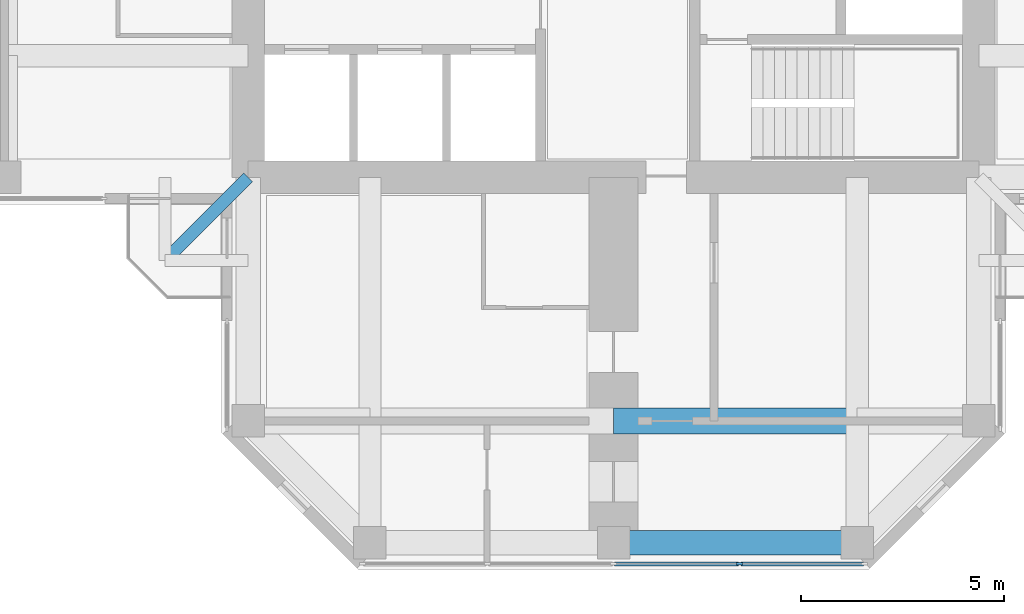
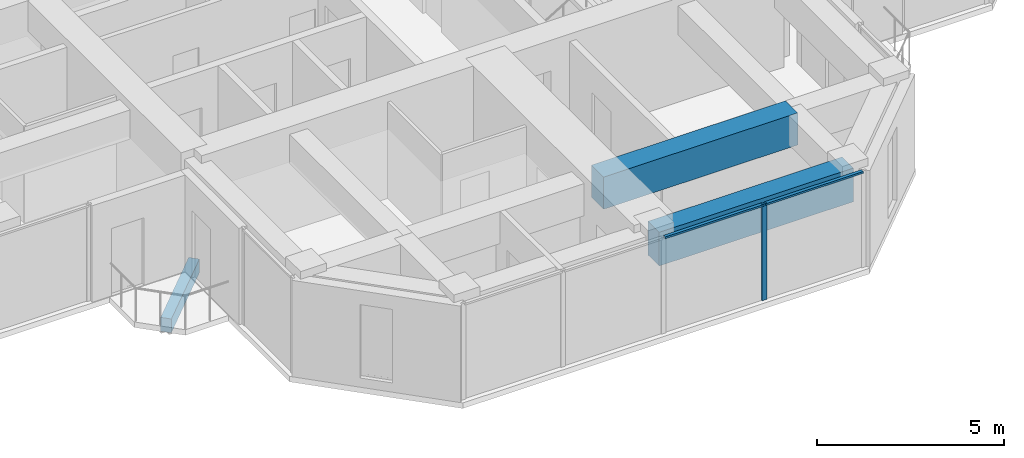
# One storey, part 3 of 13: 3 beams, 3 members, 1 element without a shape of its own.
"""IFC4 building model written with IfcOpenShell, lengths in metres."""

import ifcopenshell
import ifcopenshell.guid

model = None  # the IFC model being written
_history = None  # IfcOwnerHistory: only IFC2X3 demands one
_inside = {}  # id of a spatial element -> (the spatial element, [elements in it])
_under = {}  # id of a project, library or spatial element -> (it, [spatial elements below it])
_declared = {}  # id of a project -> (the project, [libraries it declares])
_typed = {}  # id of a type object -> (the type object, [elements of that type])
_made_of = {}  # id of a material, layer set ... -> (it, [elements and type objects made of it])


def new_model(schema):
    """Start an empty IFC model of exactly this schema.

    Asked for "IFC4X3", IfcOpenShell would pick the latest addendum, in which some entities
    have other attributes; the version numbers below select the first issue.
    IFC2X3 requires an IfcOwnerHistory on every rooted entity: one is made here for all.
    """
    global model, _history
    if schema == "IFC4X3":
        model = ifcopenshell.file(schema_version=(4, 3, 0, 0))
    else:
        model = ifcopenshell.file(schema=schema)
    _inside.clear()
    _under.clear()
    _declared.clear()
    _typed.clear()
    _made_of.clear()
    _history = None
    if model.schema == "IFC2X3":
        org = make("IfcOrganization", Name="unknown")
        user = make(
            "IfcPersonAndOrganization",
            ThePerson=make("IfcPerson", FamilyName="unknown"),
            TheOrganization=org,
        )
        app = make(
            "IfcApplication",
            ApplicationDeveloper=org,
            Version="unknown",
            ApplicationFullName="unknown",
            ApplicationIdentifier="unknown",
        )
        _history = make(
            "IfcOwnerHistory",
            OwningUser=user,
            OwningApplication=app,
            ChangeAction="ADDED",
            CreationDate=0,
        )
    return model


def make(cls, **values):
    """One entity of the class cls with the attributes given. An attribute that is None is left unset."""
    return model.create_entity(
        cls, **{name: value for name, value in values.items() if value is not None}
    )


def rooted(cls, **values):
    """An entity with a GlobalId (a new one), such as an element, a storey or a relation."""
    return make(cls, GlobalId=ifcopenshell.guid.new(), OwnerHistory=_history, **values)


def si_unit(unit_type, name, prefix=None):
    """IfcSIUnit, for example si_unit("LENGTHUNIT", "METRE", prefix="MILLI")."""
    return make("IfcSIUnit", UnitType=unit_type, Prefix=prefix, Name=name)


def assignment(units):
    """IfcUnitAssignment: the units of a project."""
    return None if units is None else make("IfcUnitAssignment", Units=units)


def point(xyz):
    """IfcCartesianPoint."""
    return None if xyz is None else make("IfcCartesianPoint", Coordinates=xyz)


def direction(xyz):
    """IfcDirection."""
    return None if xyz is None else make("IfcDirection", DirectionRatios=xyz)


def frame(location, z_axis=None, x_axis=None):
    """IfcAxis2Placement3D, a coordinate frame: its origin and axes. An axis left out is left unset."""
    return make(
        "IfcAxis2Placement3D",
        Location=point(location),
        Axis=direction(z_axis),
        RefDirection=direction(x_axis),
    )


def frame_2d(location, x_axis=None):
    """IfcAxis2Placement2D, a coordinate frame in the plane: its origin and x axis."""
    return make(
        "IfcAxis2Placement2D", Location=point(location), RefDirection=direction(x_axis)
    )


def origin():
    """The frame at (0, 0, 0) with its axes left unset."""
    return frame((0.0, 0.0, 0.0))


def origin_2d():
    """The frame at (0, 0) in the plane with its x axis left unset."""
    return frame_2d((0.0, 0.0))


def place(relative_to, where):
    """IfcLocalPlacement: puts the frame where relative to a parent placement (None: the world)."""
    return make(
        "IfcLocalPlacement", PlacementRelTo=relative_to, RelativePlacement=where
    )


def context(
    kind, dimensions, precision=None, world=None, true_north=None, identifier=None
):
    """IfcGeometricRepresentationContext, for example the 3D "Model" context."""
    return make(
        "IfcGeometricRepresentationContext",
        ContextIdentifier=identifier,
        ContextType=kind,
        CoordinateSpaceDimension=dimensions,
        Precision=precision,
        WorldCoordinateSystem=world,
        TrueNorth=true_north,
    )


def subcontext(parent, identifier, kind, view, scale=None):
    """IfcGeometricRepresentationSubContext, for example "Body" below "Model"."""
    return make(
        "IfcGeometricRepresentationSubContext",
        ContextIdentifier=identifier,
        ContextType=kind,
        ParentContext=parent,
        TargetScale=scale,
        TargetView=view,
    )


def project(units=None, contexts=None):
    """IfcProject with its units and contexts."""
    return rooted(
        "IfcProject",
        Name="project",
        RepresentationContexts=contexts,
        UnitsInContext=assignment(units),
    )


def spatial(cls, under=None, at=None, **own):
    """A site, building, storey or space (cls), placed at a placement, below another one or the project."""
    s = rooted(cls, ObjectPlacement=at, **own)
    if under is not None:
        _under.setdefault(under.id(), (under, []))[1].append(s)
    return s


def profile(cls, at=None, kind="AREA", **sizes):
    """A parametric profile (cls). Its sizes go by their IFC names, for example OverallWidth=200.0."""
    return make(cls, ProfileType=kind, Position=at, **sizes)


def rectangle(**sizes):
    """IfcRectangleProfileDef."""
    return profile("IfcRectangleProfileDef", **sizes)


def extrude(swept, where, along, depth):
    """IfcExtrudedAreaSolid: the profile swept, set in the frame where, extruded along a direction by depth."""
    return make(
        "IfcExtrudedAreaSolid",
        SweptArea=swept,
        Position=where,
        ExtrudedDirection=direction(along),
        Depth=depth,
    )


def shape(context_of_items, identifier, shape_type, items):
    """IfcShapeRepresentation: the items that make up one representation, for example the "Body"."""
    return make(
        "IfcShapeRepresentation",
        ContextOfItems=context_of_items,
        RepresentationIdentifier=identifier,
        RepresentationType=shape_type,
        Items=items,
    )


def material(Name=None, Category=None):
    """IfcMaterial."""
    return make("IfcMaterial", Name=Name, Category=Category)


def material_profile(
    of_material, cross_section, Name=None, Category=None, Priority=None
):
    """IfcMaterialProfile: a cross section and its material."""
    return make(
        "IfcMaterialProfile",
        Name=Name,
        Material=of_material,
        Profile=cross_section,
        Priority=Priority,
        Category=Category,
    )


def profile_set(profiles, Name=None, composite=None):
    """IfcMaterialProfileSet."""
    return make(
        "IfcMaterialProfileSet",
        Name=Name,
        MaterialProfiles=profiles,
        CompositeProfile=composite,
    )


def made_of(thing, what):
    """Note that an element or type object is made of a material, layer set ...; save() writes the relation."""
    if what is not None:
        _made_of.setdefault(what.id(), (what, []))[1].append(thing)
    return thing


def type_object(cls, material=None, **own):
    """A type object (cls), such as IfcWallType, which elements share."""
    return made_of(rooted(cls, **own), material)


def element(
    cls,
    number,
    at=None,
    inside=None,
    cuts=None,
    type_object=None,
    material=None,
    context=None,
    identifier="Body",
    shape_type=None,
    held_by="IfcProductDefinitionShape",
    body=None,
    shapes=None,
    **own,
):
    """One element of the class cls, such as IfcWall. Its Tag is "e" and its number.

    at: its placement. inside: the storey or other place that contains it. cuts: it is an
    opening in that element (IfcRelVoidsElement). A single representation is given by context,
    identifier, shape_type and body (its items); several are given by shapes. held_by: the class
    of the entity that holds the representations. save() writes the other relations.
    """
    e = rooted(cls, Tag="e%d" % number, ObjectPlacement=at, **own)
    if body is not None:
        shapes = [shape(context, identifier, shape_type, body)]
    if shapes is not None:
        e.Representation = make(held_by, Representations=shapes)
    if inside is not None:
        _inside.setdefault(inside.id(), (inside, []))[1].append(e)
    if cuts is not None:
        rooted(
            "IfcRelVoidsElement", RelatingBuildingElement=cuts, RelatedOpeningElement=e
        )
    if type_object is not None:
        _typed.setdefault(type_object.id(), (type_object, []))[1].append(e)
    return made_of(e, material)


def aggregate(whole, parts):
    """IfcRelAggregates: a whole, such as a stair, and the parts it consists of."""
    return rooted("IfcRelAggregates", RelatingObject=whole, RelatedObjects=parts)


def save(model, path):
    """Write the relations noted so far, then the file.

    IfcRelAggregates (storeys below a building ...), IfcRelContainedInSpatialStructure (elements
    in a storey), IfcRelDefinesByType, IfcRelAssociatesMaterial and IfcRelDeclares: one each for
    every whole, place, type object, material and project.
    """
    for whole, parts in _under.values():
        aggregate(whole, parts)
    for where, things in _inside.values():
        rooted(
            "IfcRelContainedInSpatialStructure",
            RelatedElements=things,
            RelatingStructure=where,
        )
    for kind, things in _typed.values():
        rooted("IfcRelDefinesByType", RelatedObjects=things, RelatingType=kind)
    for what, things in _made_of.values():
        rooted("IfcRelAssociatesMaterial", RelatedObjects=things, RelatingMaterial=what)
    for by, libraries in _declared.values():
        rooted("IfcRelDeclares", RelatingContext=by, RelatedDefinitions=libraries)
    model.write(path)


model = new_model("IFC4")

# Units and contexts
model_context = context("Model", 3, precision=1e-05, world=origin(), true_north=direction((0.0, 1.0)))
body_context = subcontext(model_context, "Body", "Model", "MODEL_VIEW")
ifc_project = project(units=[si_unit("LENGTHUNIT", "METRE"), si_unit("AREAUNIT", "SQUARE_METRE"), si_unit("VOLUMEUNIT", "CUBIC_METRE"), si_unit("PLANEANGLEUNIT", "RADIAN"), si_unit("MASSUNIT", "GRAM", prefix="KILO")], contexts=[model_context])

# Site, building, storey
site_placement = place(None, origin())
site = spatial("IfcSite", under=ifc_project, at=site_placement, CompositionType="ELEMENT")
building_placement = place(site_placement, origin())
building = spatial("IfcBuilding", under=site, at=building_placement, Name="Torre Cruceta", CompositionType="ELEMENT")
storey_placement = place(building_placement, frame((0.0, 0.0, 249.300048828125)))
storey = spatial("IfcBuildingStorey", under=building, at=storey_placement, Name="L64", CompositionType="ELEMENT", Elevation=249.300048828125)

# Beams
ifc_material_1 = material(Name="Concrete G60 (fck 60 MPa)", Category="concrete")
ifc_material_profile_1 = material_profile(ifc_material_1, rectangle(XDim=0.300048828125, YDim=0.449951171875, at=origin_2d()), Name="RC 300X450")
ifc_profile_set_1 = profile_set([ifc_material_profile_1], Name="Concrete G60 (fck 60 MPa)")
beam_type_1 = type_object("IfcBeamType", Name="BALCONY CANTILEVER BEAM RC 300X450", PredefinedType="BEAM", material=ifc_profile_set_1)
beam_1_placement = place(storey_placement, frame((-9.0, -9.0, -0.405029296875), z_axis=(-0.707106781187, -0.707106781187, 0.0), x_axis=(0.707106781187, -0.707106781187, 0.0)))
element("IfcBeam", 1, at=beam_1_placement, inside=storey, type_object=beam_type_1, Name="BB1 balcony beam L64 W", PredefinedType="BEAM", context=body_context, shape_type="SweptSolid", body=[
    extrude(rectangle(XDim=0.300048828125, YDim=0.449951171875, at=origin_2d()), origin(), (0.0, 0.0, 1.0), 2.89990234375),
])
ifc_material_2 = material(Name="Concrete G60 (fck 60 MPa)", Category="concrete")
ifc_material_profile_2 = material_profile(ifc_material_2, rectangle(XDim=0.64990234375, YDim=1.050048828125, at=origin_2d()), Name="RC 650X1050")
ifc_profile_set_2 = profile_set([ifc_material_profile_2], Name="Concrete G60 (fck 60 MPa)")
beam_type_2 = type_object("IfcBeamType", Name="CROSS BEAM RC 650X1050", PredefinedType="BEAM", material=ifc_profile_set_2)
beam_2_placement = place(storey_placement, frame((0.0, -15.0, 2.625), z_axis=(1.0, 0.0, 0.0), x_axis=(0.0, 1.0, 0.0)))
element("IfcBeam", 2, at=beam_2_placement, inside=storey, type_object=beam_type_2, Name="GB3 L64 S cross15 3", PredefinedType="BEAM", context=body_context, shape_type="SweptSolid", body=[
    extrude(rectangle(XDim=0.64990234375, YDim=1.050048828125, at=origin_2d()), origin(), (0.0, 0.0, 1.0), 6.0),
])

# Curtain wall, members
ifc_material_3 = material(Name="Aluminium unitised curtain wall", Category="aluminium")
curtain_wall_type = type_object("IfcCurtainWallType", Name="CURTAIN WALL CW-D CO-LIVING UPPER", PredefinedType="USERDEFINED", material=ifc_material_3)
curtain_wall_placement = place(storey_placement, origin())
curtain_wall = element("IfcCurtainWall", 3, at=curtain_wall_placement, inside=storey, type_object=curtain_wall_type, Name="CW-D L64 S tip 17", ObjectType="UNITISED", PredefinedType="USERDEFINED")
ifc_material_4 = material(Name="Aluminium mullion", Category="aluminium")
ifc_material_profile_3 = material_profile(ifc_material_4, rectangle(XDim=0.06005859375, YDim=0.14990234375, at=origin_2d()), Name="AL 60X150")
ifc_profile_set_3 = profile_set([ifc_material_profile_3], Name="Aluminium mullion")
member_type_1 = type_object("IfcMemberType", Name="CW-D MULLION 60X150", PredefinedType="MULLION", material=ifc_profile_set_3)
member_1_placement = place(storey_placement, frame((3.107666015625, -18.52001953125, 0.0), z_axis=(0.0, 0.0, 1.0), x_axis=(0.0, 1.0, 0.0)))
member_1 = element("IfcMember", 4, at=member_1_placement, type_object=member_type_1, Name="CW-D mullion 4", PredefinedType="MULLION", context=body_context, shape_type="SweptSolid", body=[
    extrude(rectangle(XDim=0.06005859375, YDim=0.14990234375, at=origin_2d()), origin(), (0.0, 0.0, 1.0), 3.14990234375),
])
ifc_material_5 = material(Name="Aluminium transom", Category="aluminium")
ifc_material_profile_4 = material_profile(ifc_material_5, rectangle(XDim=0.10009765625, YDim=0.06005859375, at=origin_2d()), Name="AL 100X60")
ifc_profile_set_4 = profile_set([ifc_material_profile_4], Name="Aluminium transom")
member_type_2 = type_object("IfcMemberType", Name="CW-D TRANSOM 60X100", PredefinedType="USERDEFINED", material=ifc_profile_set_4)
member_2_placement = place(storey_placement, frame((0.030029296875, -18.52001953125, 3.119873046875), z_axis=(1.0, 0.0, 0.0), x_axis=(0.0, 1.0, 0.0)))
member_2 = element("IfcMember", 5, at=member_2_placement, type_object=member_type_2, Name="CW-D transom 3", ObjectType="TRANSOM", PredefinedType="USERDEFINED", context=body_context, shape_type="SweptSolid", body=[
    extrude(rectangle(XDim=0.10009765625, YDim=0.06005859375, at=origin_2d()), origin(), (0.0, 0.0, 1.0), 3.047607421875),
])
member_3_placement = place(storey_placement, frame((3.1376953125, -18.52001953125, 3.119873046875), z_axis=(1.0, 0.0, 0.0), x_axis=(0.0, 1.0, 0.0)))
member_3 = element("IfcMember", 6, at=member_3_placement, type_object=member_type_2, Name="CW-D transom 4", ObjectType="TRANSOM", PredefinedType="USERDEFINED", context=body_context, shape_type="SweptSolid", body=[
    extrude(rectangle(XDim=0.10009765625, YDim=0.06005859375, at=origin_2d()), origin(), (0.0, 0.0, 1.0), 3.017578125),
])
aggregate(curtain_wall, [member_1, member_2, member_3])

# Beam
ifc_material_6 = material(Name="Concrete G60 (fck 60 MPa)", Category="concrete")
ifc_material_profile_5 = material_profile(ifc_material_6, rectangle(XDim=0.60009765625, YDim=1.10009765625, at=origin_2d()), Name="RC 600X1100")
ifc_profile_set_5 = profile_set([ifc_material_profile_5], Name="Concrete G60 (fck 60 MPa)")
beam_type_3 = type_object("IfcBeamType", Name="SPANDREL BEAM RC 600X1100", PredefinedType="SPANDREL", material=ifc_profile_set_5)
beam_3_placement = place(storey_placement, frame((0.0, -18.0, 2.599853515625), z_axis=(1.0, 0.0, 0.0), x_axis=(0.0, 1.0, 0.0)))
element("IfcBeam", 7, at=beam_3_placement, inside=storey, type_object=beam_type_3, Name="SB2 L64 S tip 2", PredefinedType="SPANDREL", context=body_context, shape_type="SweptSolid", body=[
    extrude(rectangle(XDim=0.60009765625, YDim=1.10009765625, at=origin_2d()), origin(), (0.0, 0.0, 1.0), 6.0),
])

save(model, "model.ifc")
